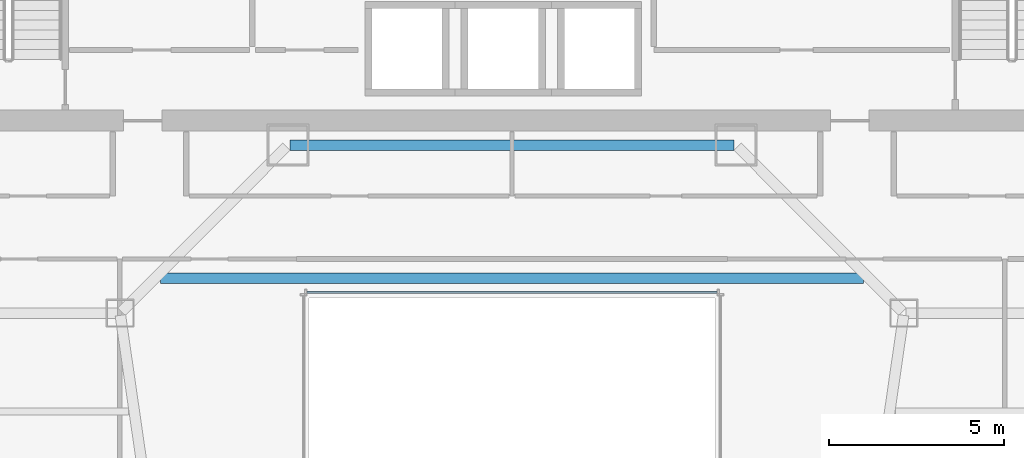
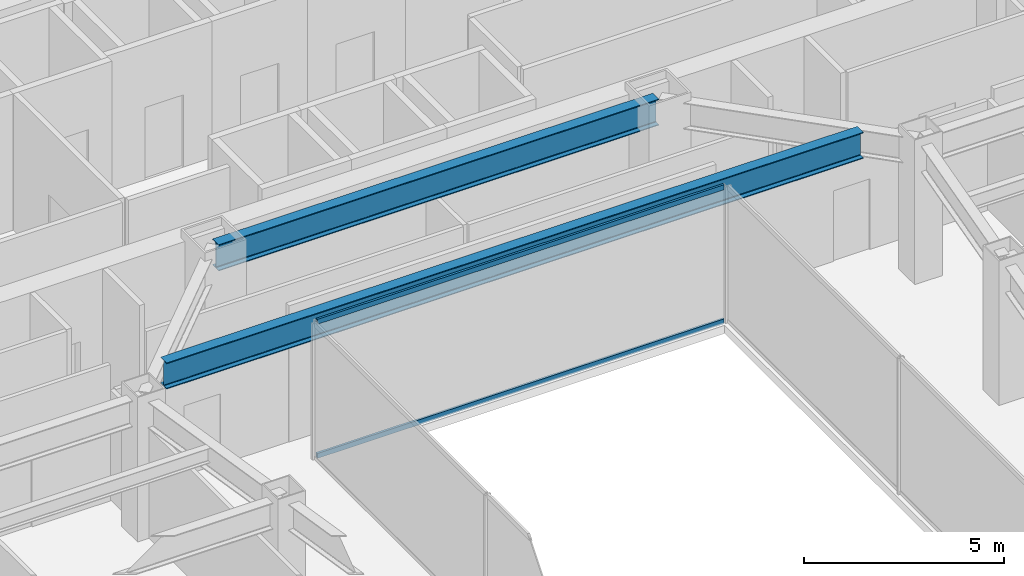
# One storey, part 25 of 47: 2 beams, 2 members, 1 element without a shape of its own.
"""IFC4 building model written with IfcOpenShell, lengths in metres."""

from ifc_helpers import new_model, si_unit, direction, frame, origin, origin_2d, place, context, subcontext, project, spatial, hollow_rectangle, i_section, extrude, material, material_profile, profile_set, type_object, element, aggregate, save


model = new_model("IFC4")

# Units and contexts
model_context = context("Model", 3, precision=1e-05, world=origin(), true_north=direction((0.0, 1.0)))
body_context = subcontext(model_context, "Body", "Model", "MODEL_VIEW")
ifc_project = project(units=[si_unit("LENGTHUNIT", "METRE"), si_unit("AREAUNIT", "SQUARE_METRE"), si_unit("VOLUMEUNIT", "CUBIC_METRE"), si_unit("PLANEANGLEUNIT", "RADIAN"), si_unit("MASSUNIT", "GRAM", prefix="KILO")], contexts=[model_context])

# Site, building, storey
site_placement = place(None, origin())
site = spatial("IfcSite", under=ifc_project, at=site_placement, CompositionType="ELEMENT")
building_placement = place(site_placement, origin())
building = spatial("IfcBuilding", under=site, at=building_placement, Name="Saevonmaru Cultural Tower", CompositionType="ELEMENT")
storey_placement = place(building_placement, frame((0.0, 0.0, 47.199951171875)))
storey = spatial("IfcBuildingStorey", under=building, at=storey_placement, Name="L09", CompositionType="ELEMENT", Elevation=47.199951171875)

# Beams
ifc_material_1 = material(Name="Steel SM420", Category="steel")
ifc_material_profile_1 = material_profile(ifc_material_1, i_section(OverallWidth=0.300048828125, OverallDepth=0.800048828125, WebThickness=0.013916015625, FlangeThickness=0.02587890625, FilletRadius=0.028076171875, at=origin_2d()), Name="H-800x300x14x26")
ifc_profile_set_1 = profile_set([ifc_material_profile_1], Name="Steel SM420")
beam_type = type_object("IfcBeamType", Name="BM-G-H800", PredefinedType="BEAM", material=ifc_profile_set_1)
beam_1_placement = place(storey_placement, frame((23.659912109375, 42.39990234375, 3.75), z_axis=(1.0, 0.0, 0.0), x_axis=(0.0, 1.0, 0.0)))
element("IfcBeam", 1, at=beam_1_placement, inside=storey, type_object=beam_type, Name="L09 Core South Girder 3", PredefinedType="BEAM", context=body_context, shape_type="SweptSolid", body=[
    extrude(i_section(OverallWidth=0.300048828125, OverallDepth=0.800048828125, WebThickness=0.013916015625, FlangeThickness=0.02587890625, FilletRadius=0.028076171875, at=origin_2d()), origin(), (0.0, 0.0, 1.0), 12.68017578125),
])
beam_2_placement = place(storey_placement, frame((19.96435546875, 38.60009765625, 3.75), z_axis=(1.0, 0.0, 0.0), x_axis=(0.0, 1.0, 0.0)))
element("IfcBeam", 2, at=beam_2_placement, inside=storey, type_object=beam_type, Name="L09 Central Link Girder", PredefinedType="BEAM", context=body_context, shape_type="SweptSolid", body=[
    extrude(i_section(OverallWidth=0.300048828125, OverallDepth=0.800048828125, WebThickness=0.013916015625, FlangeThickness=0.02587890625, FilletRadius=0.028076171875, at=origin_2d()), origin(), (0.0, 0.0, 1.0), 20.0712890625),
])

# Curtain wall, members
ifc_material_2 = material(Name="Satin Bronze Anodised Aluminium", Category="aluminium")
curtain_wall_type = type_object("IfcCurtainWallType", Name="CW-ATR-GLZ", PredefinedType="NOTDEFINED", material=ifc_material_2)
curtain_wall_placement = place(storey_placement, origin())
curtain_wall = element("IfcCurtainWall", 3, at=curtain_wall_placement, inside=storey, type_object=curtain_wall_type, Name="L09 Vertical Atrium Glazed Smoke Screen 3", PredefinedType="NOTDEFINED")
ifc_material_profile_2 = material_profile(ifc_material_2, hollow_rectangle(XDim=0.06494140625, YDim=0.14990234375, WallThickness=0.00390625, at=origin_2d()), Name="ALU-TRAN-150x65x4")
ifc_profile_set_2 = profile_set([ifc_material_profile_2], Name="Satin Bronze Anodised Aluminium")
member_type = type_object("IfcMemberType", Name="TR-CW-INT-150x65", PredefinedType="USERDEFINED", material=ifc_profile_set_2)
member_1_placement = place(storey_placement, frame((35.857421875, 38.18994140625, 0.032470703125), z_axis=(-1.0, 0.0, 0.0), x_axis=(0.0, -1.0, 0.0)))
member_1 = element("IfcMember", 4, at=member_1_placement, type_object=member_type, Name="CW-ATR-L09-3 transom 1.1", ObjectType="TRANSOM", PredefinedType="USERDEFINED", context=body_context, shape_type="SweptSolid", body=[
    extrude(hollow_rectangle(XDim=0.06494140625, YDim=0.14990234375, WallThickness=0.00390625, at=origin_2d()), origin(), (0.0, 0.0, 1.0), 11.71484375),
])
member_2_placement = place(storey_placement, frame((35.857421875, 38.18994140625, 4.117431640625), z_axis=(-1.0, 0.0, 0.0), x_axis=(0.0, -1.0, 0.0)))
member_2 = element("IfcMember", 5, at=member_2_placement, type_object=member_type, Name="CW-ATR-L09-3 transom 1.2", ObjectType="TRANSOM", PredefinedType="USERDEFINED", context=body_context, shape_type="SweptSolid", body=[
    extrude(hollow_rectangle(XDim=0.06494140625, YDim=0.14990234375, WallThickness=0.00390625, at=origin_2d()), origin(), (0.0, 0.0, 1.0), 11.71484375),
])
aggregate(curtain_wall, [member_1, member_2])

save(model, "model.ifc")
